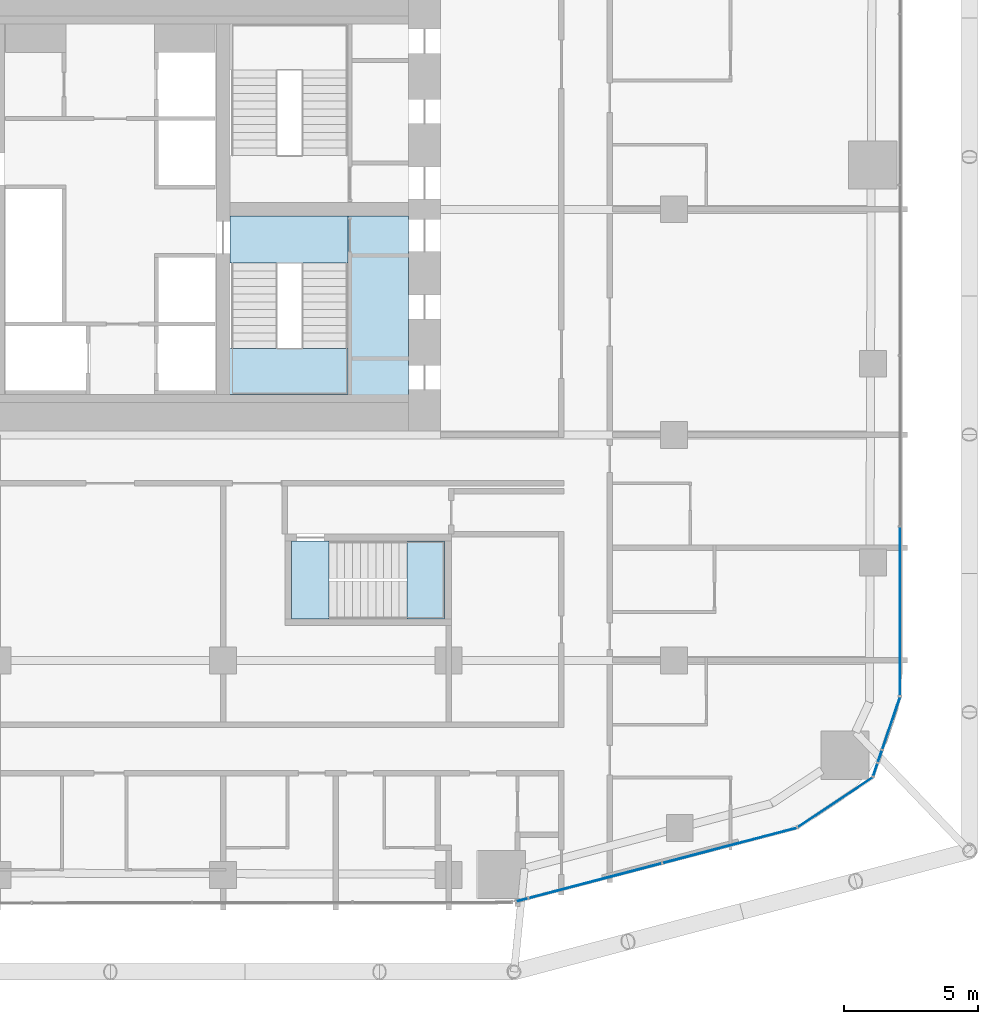
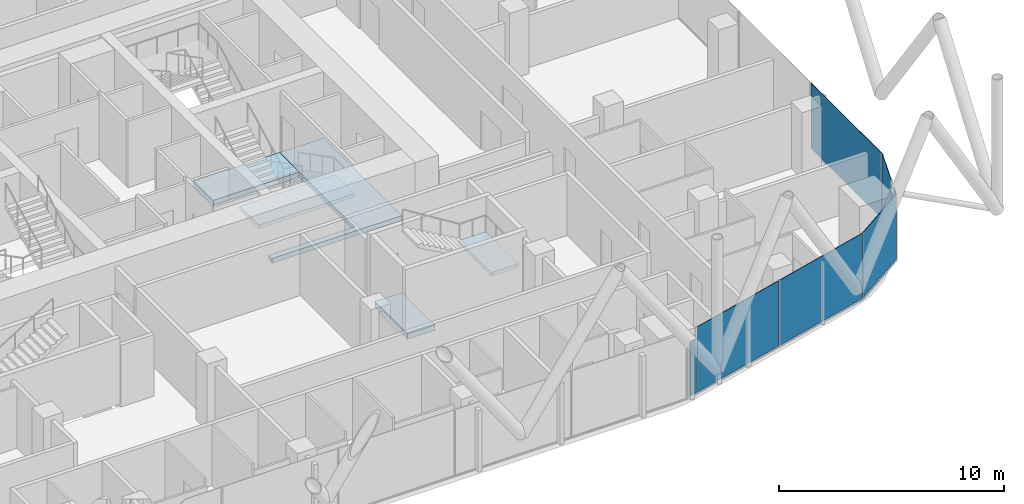
# One storey, part 20 of 34: 8 plates, 5 slabs, 9 elements without a shape of their own.
"""IFC4 building model written with IfcOpenShell, lengths in metres."""

from ifc_helpers import new_model, si_unit, direction, frame, origin, origin_2d, place, context, subcontext, project, spatial, polyline, rectangle, outline, extrude, material, layer, layer_set, type_object, element, aggregate, save


model = new_model("IFC4")

# Units and contexts
model_context = context("Model", 3, precision=1e-05, world=origin(), true_north=direction((0.0, 1.0)))
body_context = subcontext(model_context, "Body", "Model", "MODEL_VIEW")
ifc_project = project(units=[si_unit("LENGTHUNIT", "METRE"), si_unit("AREAUNIT", "SQUARE_METRE"), si_unit("VOLUMEUNIT", "CUBIC_METRE"), si_unit("PLANEANGLEUNIT", "RADIAN"), si_unit("MASSUNIT", "GRAM", prefix="KILO")], contexts=[model_context])

# Site, building, storey
site_placement = place(None, origin())
site = spatial("IfcSite", under=ifc_project, at=site_placement, CompositionType="ELEMENT")
building_placement = place(site_placement, origin())
building = spatial("IfcBuilding", under=site, at=building_placement, Name="Marenta Gate Hotel Tower", CompositionType="ELEMENT")
storey_placement = place(building_placement, frame((0.0, 0.0, 76.10009765625)))
storey = spatial("IfcBuildingStorey", under=building, at=storey_placement, Name="L17", CompositionType="ELEMENT", Elevation=76.10009765625)

# Slab
ifc_material_1 = material(Name="Concrete C40", Category="concrete")
ifc_layer_1 = layer(ifc_material_1, 0.260009765625)
ifc_layer_set_1 = layer_set([ifc_layer_1], Name="Concrete C40")
slab_type_1 = type_object("IfcSlabType", Name="Core floor slab 260", PredefinedType="FLOOR", material=ifc_layer_set_1)
slab_1_placement = place(storey_placement, frame((0.0, 0.0, -0.260009765625)))
element("IfcSlab", 1, at=slab_1_placement, inside=storey, type_object=slab_type_1, Name="L17-CF-2", PredefinedType="FLOOR", context=body_context, shape_type="SweptSolid", body=[
    extrude(outline(polyline([(8.85009765625, 1.5), (8.85009765625, 6.39990234375), (8.85009765625, 8.10009765625), (8.85009765625, 8.14990234375), (11.10009765625, 8.14990234375), (11.10009765625, 1.199951171875), (4.449951171875, 1.199951171875), (4.449951171875, 1.5), (8.85009765625, 1.5)])), origin(), (0.0, 0.0, 1.0), 0.260009765625),
])

# Stair, slab
ifc_material_2 = material(Name="Concrete C40", Category="concrete")
stair_type_1 = type_object("IfcStairType", Name="Core exit stair 1700 wide", PredefinedType="HALF_TURN_STAIR", material=ifc_material_2)
stair_1_placement = place(storey_placement, origin())
stair_1 = element("IfcStair", 2, at=stair_1_placement, inside=storey, type_object=stair_type_1, Name="Exit stair 3", PredefinedType="HALF_TURN_STAIR")
ifc_material_3 = material(Name="Concrete C40", Category="concrete")
ifc_layer_2 = layer(ifc_material_3, 0.199951171875)
ifc_layer_set_2 = layer_set([ifc_layer_2], Name="Concrete C40")
slab_type_2 = type_object("IfcSlabType", Name="Core stair landing 200", PredefinedType="LANDING", material=ifc_layer_set_2)
slab_2_placement = place(storey_placement, frame((0.0, 0.0, 1.599853515625)))
slab_2 = element("IfcSlab", 3, at=slab_2_placement, type_object=slab_type_2, Name="SL-200 ST3 landing 1", PredefinedType="LANDING", context=body_context, shape_type="SweptSolid", body=[
    extrude(outline(polyline([(3.949951171875, 1.5), (8.85009765625, 1.5), (8.85009765625, 3.2099609375), (3.949951171875, 3.2099609375), (3.949951171875, 1.5)])), origin(), (0.0, 0.0, 1.0), 0.199951171875),
])
aggregate(stair_1, [slab_2])

# Curtain wall, plate
ifc_material_4 = material(Name="Tinted insulated glass in bronze anodised frame", Category="glass")
ifc_layer_3 = layer(ifc_material_4, 0.1201171875)
ifc_layer_set_3 = layer_set([ifc_layer_3], Name="Tinted insulated glass in bronze anodised frame")
curtain_wall_type = type_object("IfcCurtainWallType", Name="Tower unitised curtain wall CW1", PredefinedType="NOTDEFINED", material=ifc_layer_set_3)
curtain_wall_1_placement = place(storey_placement, origin())
curtain_wall_1 = element("IfcCurtainWall", 4, at=curtain_wall_1_placement, inside=storey, type_object=curtain_wall_type, Name="CW1 run G12", PredefinedType="NOTDEFINED")
ifc_material_5 = material(Name="Tinted insulated glass", Category="glass")
ifc_layer_4 = layer(ifc_material_5, 0.028076171875)
ifc_layer_set_4 = layer_set([ifc_layer_4], Name="Tinted insulated glass")
plate_type = type_object("IfcPlateType", Name="Glass panel CW1 28 mm tinted insulated unit", PredefinedType="CURTAIN_PANEL", material=ifc_layer_set_4)
plate_1_placement = place(storey_placement, frame((15.337158203125, -17.322998046875, 0.059814453125), z_axis=(0.0, 0.0, 1.0), x_axis=(0.967355319897, 0.25342392363, 0.0)))
plate_1 = element("IfcPlate", 5, at=plate_1_placement, type_object=plate_type, Name="CW1 panel 1.1", PredefinedType="CURTAIN_PANEL", context=body_context, shape_type="SweptSolid", body=[
    extrude(rectangle(XDim=0.42333984375, YDim=0.028076171875, at=origin_2d()), origin(), (0.0, 0.0, 1.0), 2.9404296875),
])
aggregate(curtain_wall_1, [plate_1])

# Curtain wall, plates
curtain_wall_2_placement = place(storey_placement, origin())
curtain_wall_2 = element("IfcCurtainWall", 6, at=curtain_wall_2_placement, inside=storey, type_object=curtain_wall_type, Name="CW1 run G13", PredefinedType="NOTDEFINED")
plate_2_placement = place(storey_placement, frame((18.06298828125, -16.609130859375, 0.059814453125), z_axis=(0.0, 0.0, 1.0), x_axis=(0.967371097224, 0.253363691666, 0.0)))
plate_2 = element("IfcPlate", 7, at=plate_2_placement, type_object=plate_type, Name="CW1 panel 1.1", PredefinedType="CURTAIN_PANEL", context=body_context, shape_type="SweptSolid", body=[
    extrude(rectangle(XDim=5.091796875, YDim=0.028076171875, at=origin_2d()), origin(), (0.0, 0.0, 1.0), 3.5400390625),
])
plate_3_placement = place(storey_placement, frame((23.07568359375, -15.296142578125, 0.059814453125), z_axis=(0.0, 0.0, 1.0), x_axis=(0.967371097224, 0.253363691666, 0.0)))
plate_3 = element("IfcPlate", 8, at=plate_3_placement, type_object=plate_type, Name="CW1 panel 2.1", PredefinedType="CURTAIN_PANEL", context=body_context, shape_type="SweptSolid", body=[
    extrude(rectangle(XDim=5.15185546875, YDim=0.028076171875, at=origin_2d()), origin(), (0.0, 0.0, 1.0), 3.5400390625),
])
aggregate(curtain_wall_2, [plate_2, plate_3])

# Curtain wall, plate
curtain_wall_3_placement = place(storey_placement, origin())
curtain_wall_3 = element("IfcCurtainWall", 9, at=curtain_wall_3_placement, inside=storey, type_object=curtain_wall_type, Name="CW1 run G14", PredefinedType="NOTDEFINED")
plate_4_placement = place(storey_placement, frame((27.006591796875, -13.685791015625, 0.059814453125), z_axis=(0.0, 0.0, 1.0), x_axis=(0.832493824282, 0.554034324326, 0.0)))
plate_4 = element("IfcPlate", 10, at=plate_4_placement, type_object=plate_type, Name="CW1 panel 1.1", PredefinedType="CURTAIN_PANEL", context=body_context, shape_type="SweptSolid", body=[
    extrude(rectangle(XDim=3.33740234375, YDim=0.028076171875, at=origin_2d()), origin(), (0.0, 0.0, 1.0), 3.5400390625),
])
aggregate(curtain_wall_3, [plate_4])

curtain_wall_4_placement = place(storey_placement, origin())
curtain_wall_4 = element("IfcCurtainWall", 11, at=curtain_wall_4_placement, inside=storey, type_object=curtain_wall_type, Name="CW1 run G15", PredefinedType="NOTDEFINED")
plate_5_placement = place(storey_placement, frame((28.493408203125, -12.474609375, 0.059814453125), z_axis=(0.0, 0.0, 1.0), x_axis=(0.322050601446, 0.946722456746, 0.0)))
plate_5 = element("IfcPlate", 12, at=plate_5_placement, type_object=plate_type, Name="CW1 panel 1.1", PredefinedType="CURTAIN_PANEL", context=body_context, shape_type="SweptSolid", body=[
    extrude(rectangle(XDim=0.485595703125, YDim=0.028076171875, at=origin_2d()), origin(), (0.0, 0.0, 1.0), 3.5400390625),
])
aggregate(curtain_wall_4, [plate_5])

curtain_wall_5_placement = place(storey_placement, origin())
curtain_wall_5 = element("IfcCurtainWall", 13, at=curtain_wall_5_placement, inside=storey, type_object=curtain_wall_type, Name="CW1 run G16", PredefinedType="NOTDEFINED")
plate_6_placement = place(storey_placement, frame((28.663330078125, -11.974853515625, 0.059814453125), z_axis=(0.0, 0.0, 1.0), x_axis=(0.321979977321, 0.946746478316, 0.0)))
plate_6 = element("IfcPlate", 14, at=plate_6_placement, type_object=plate_type, Name="CW1 panel 1.1", PredefinedType="CURTAIN_PANEL", context=body_context, shape_type="SweptSolid", body=[
    extrude(rectangle(XDim=0.45068359375, YDim=0.028076171875, at=origin_2d()), origin(), (0.0, 0.0, 1.0), 2.9404296875),
])
aggregate(curtain_wall_5, [plate_6])

curtain_wall_6_placement = place(storey_placement, origin())
curtain_wall_6 = element("IfcCurtainWall", 15, at=curtain_wall_6_placement, inside=storey, type_object=curtain_wall_type, Name="CW1 run G17", PredefinedType="NOTDEFINED")
plate_7_placement = place(storey_placement, frame((29.084716796875, -10.736328125, 0.059814453125), z_axis=(0.0, 0.0, 1.0), x_axis=(0.322034696135, 0.946727867175, 0.0)))
plate_7 = element("IfcPlate", 16, at=plate_7_placement, type_object=plate_type, Name="CW1 panel 1.1", PredefinedType="CURTAIN_PANEL", context=body_context, shape_type="SweptSolid", body=[
    extrude(rectangle(XDim=2.045654296875, YDim=0.028076171875, at=origin_2d()), origin(), (0.0, 0.0, 1.0), 3.5400390625),
])
aggregate(curtain_wall_6, [plate_7])

curtain_wall_7_placement = place(storey_placement, origin())
curtain_wall_7 = element("IfcCurtainWall", 17, at=curtain_wall_7_placement, inside=storey, type_object=curtain_wall_type, Name="CW1 run G18", PredefinedType="NOTDEFINED")
plate_8_placement = place(storey_placement, frame((29.4140625, -6.572998046875, 0.059814453125), z_axis=(0.0, 0.0, 1.0), x_axis=(0.0, 1.0, 0.0)))
plate_8 = element("IfcPlate", 18, at=plate_8_placement, type_object=plate_type, Name="CW1 panel 1.1", PredefinedType="CURTAIN_PANEL", context=body_context, shape_type="SweptSolid", body=[
    extrude(rectangle(XDim=6.27001953125, YDim=0.028076171875, at=origin_2d()), origin(), (0.0, 0.0, 1.0), 3.5400390625),
])
aggregate(curtain_wall_7, [plate_8])

# Stair, slab
ifc_material_6 = material(Name="Concrete C40", Category="concrete")
stair_type_2 = type_object("IfcStairType", Name="Remote exit stair 1400 wide", PredefinedType="HALF_TURN_STAIR", material=ifc_material_6)
stair_2_placement = place(storey_placement, origin())
stair_2 = element("IfcStair", 19, at=stair_2_placement, inside=storey, type_object=stair_type_2, Name="Exit stair RS-Z1-1", PredefinedType="HALF_TURN_STAIR")
ifc_material_7 = material(Name="Concrete C40", Category="concrete")
ifc_layer_5 = layer(ifc_material_7, 0.199951171875)
ifc_layer_set_5 = layer_set([ifc_layer_5], Name="Concrete C40")
slab_type_3 = type_object("IfcSlabType", Name="Remote stair landing 200", PredefinedType="LANDING", material=ifc_layer_set_5)
slab_3_placement = place(storey_placement, frame((0.0, 0.0, 1.599853515625)))
slab_3 = element("IfcSlab", 20, at=slab_3_placement, type_object=slab_type_3, Name="RL-200 RS-Z1-1 landing 1", PredefinedType="LANDING", context=body_context, shape_type="SweptSolid", body=[
    extrude(outline(polyline([(11.050048828125, -6.85009765625), (12.449951171875, -6.85009765625), (12.449951171875, -3.949951171875), (11.050048828125, -3.949951171875), (11.050048828125, -6.85009765625)])), origin(), (0.0, 0.0, 1.0), 0.199951171875),
])
aggregate(stair_2, [slab_3])

# Slabs
ifc_material_8 = material(Name="Concrete C40", Category="concrete")
ifc_layer_6 = layer(ifc_material_8, 0.300048828125)
ifc_layer_set_6 = layer_set([ifc_layer_6], Name="Concrete C40")
slab_type_4 = type_object("IfcSlabType", Name="Stair floor landing slab 300", PredefinedType="FLOOR", material=ifc_layer_set_6)
slab_4_placement = place(storey_placement, frame((0.0, 0.0, -0.300048828125)))
element("IfcSlab", 21, at=slab_4_placement, inside=storey, type_object=slab_type_4, Name="L17-CL-ST3-1", PredefinedType="FLOOR", context=body_context, shape_type="SweptSolid", body=[
    extrude(outline(polyline([(4.449951171875, 6.39990234375), (4.449951171875, 8.14990234375), (8.85009765625, 8.14990234375), (8.85009765625, 8.10009765625), (8.85009765625, 6.39990234375), (4.449951171875, 6.39990234375)])), origin(), (0.0, 0.0, 1.0), 0.300048828125),
])
slab_5_placement = place(storey_placement, frame((0.0, 0.0, -0.300048828125)))
element("IfcSlab", 22, at=slab_5_placement, inside=storey, type_object=slab_type_4, Name="L17-RS-Z1-1-CL", PredefinedType="FLOOR", context=body_context, shape_type="SweptSolid", body=[
    extrude(outline(polyline([(8.14990234375, -6.85009765625), (8.14990234375, -3.949951171875), (6.75, -3.949951171875), (6.75, -6.85009765625), (8.14990234375, -6.85009765625)])), origin(), (0.0, 0.0, 1.0), 0.300048828125),
])

save(model, "model.ifc")
